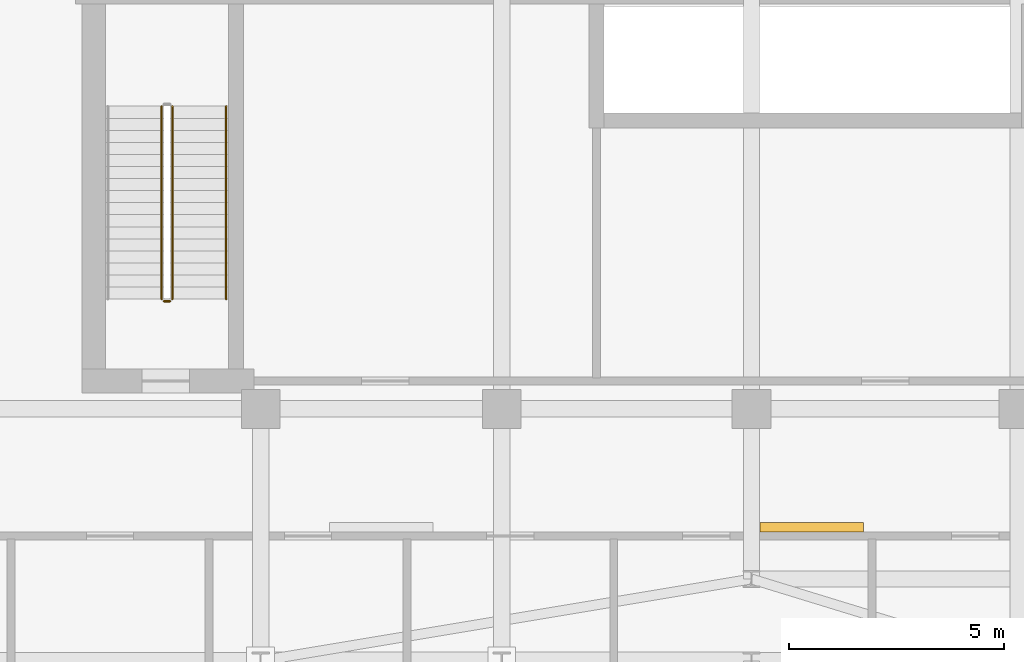
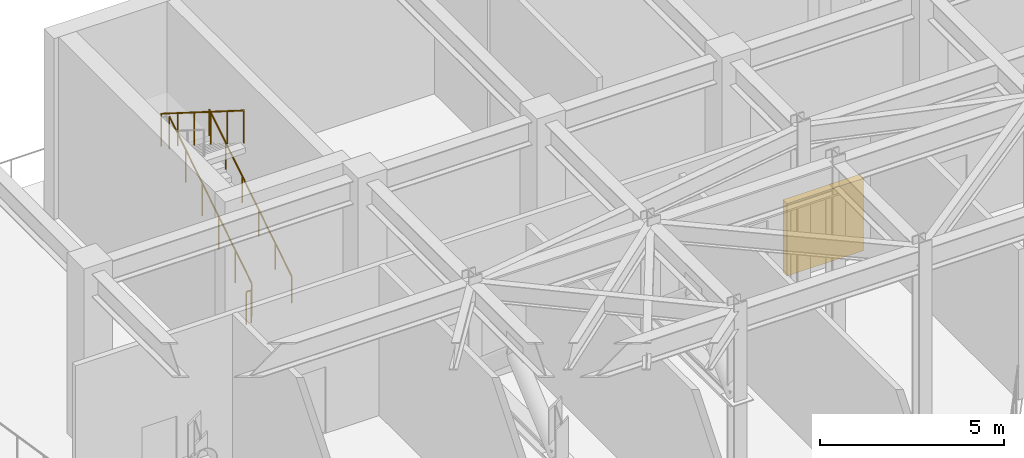
# One storey, part 7 of 12: 4 railings, 1 shading device.
"""IFC4 building model written with IfcOpenShell, lengths in metres."""

from ifc_helpers import new_model, si_unit, direction, frame, origin, origin_2d, place, context, subcontext, project, spatial, rectangle, circle, extrude, material, layer, layer_set, type_object, element, save


model = new_model("IFC4")

# Units and contexts
model_context = context("Model", 3, precision=1e-05, world=origin(), true_north=direction((0.0, 1.0)))
body_context = subcontext(model_context, "Body", "Model", "MODEL_VIEW")
ifc_project = project(units=[si_unit("LENGTHUNIT", "METRE"), si_unit("AREAUNIT", "SQUARE_METRE"), si_unit("VOLUMEUNIT", "CUBIC_METRE"), si_unit("PLANEANGLEUNIT", "RADIAN"), si_unit("MASSUNIT", "GRAM", prefix="KILO")], contexts=[model_context])

# Site, building, storey
site_placement = place(None, origin())
site = spatial("IfcSite", under=ifc_project, at=site_placement, CompositionType="ELEMENT")
building_placement = place(site_placement, origin())
building = spatial("IfcBuilding", under=site, at=building_placement, Name="Kravanh Interchange Tower", CompositionType="ELEMENT")
storey_placement = place(building_placement, frame((0.0, 0.0, 225.0)))
storey = spatial("IfcBuildingStorey", under=building, at=storey_placement, Name="L54", CompositionType="ELEMENT", Elevation=225.0)

# Shading device
ifc_material_1 = material(Name="Extruded Bronze Aluminium Acoustic Blades", Category="aluminium")
ifc_layer_1 = layer(ifc_material_1, 0.219970703125)
ifc_layer_set_1 = layer_set([ifc_layer_1], Name="Acoustic Weatherproof Plant Louvre Bank")
shading_device_type = type_object("IfcShadingDeviceType", Name="Acoustic Weatherproof Plant Louvre Bank", PredefinedType="JALOUSIE", material=ifc_layer_set_1)
shading_device_placement = place(storey_placement, frame((40.0, 34.60009765625, 0.0), z_axis=(0.0, 0.0, 1.0), x_axis=(1.0, 0.0, 0.0)))
element("IfcShadingDevice", 1, at=shading_device_placement, inside=storey, type_object=shading_device_type, Name="L54 Plant Acoustic Intake Louvre 2", PredefinedType="JALOUSIE", context=body_context, shape_type="SweptSolid", body=[
    extrude(rectangle(XDim=2.39990234375, YDim=0.219970703125, at=origin_2d()), origin(), (0.0, 0.0, 1.0), 2.39990234375),
])

# Railings
ifc_material_2 = material(Name="Structural Steel S355", Category="steel")
ifc_layer_2 = layer(ifc_material_2, 0.050048828125)
ifc_layer_set_2 = layer_set([ifc_layer_2], Name="Stair Well Guardrail Structural Steel S355 1100mm")
railing_type_1 = type_object("IfcRailingType", Name="Stair Well Guardrail Structural Steel S355 1100mm", PredefinedType="GUARDRAIL", material=ifc_layer_set_2)
railing_1_placement = place(storey_placement, frame((25.14990234375, 39.89990234375, 0.176513671875)))
element("IfcRailing", 2, at=railing_1_placement, inside=storey, type_object=railing_type_1, Name="L54 ST3 stair guard 1", PredefinedType="GUARDRAIL", context=body_context, shape_type="SweptSolid", body=[
    extrude(circle(Radius=0.02392578125, at=origin_2d()), frame((0.0, 0.0, 1.076171875), z_axis=(0.0, 0.845997938375, 0.533186166611), x_axis=(-1.0, 0.0, 0.0)), (0.0, 0.0, 1.0), 5.29541015625),
    extrude(circle(Radius=0.02099609375, at=origin_2d()), origin(), (0.0, 0.0, 1.0), 1.052001953125),
    extrude(circle(Radius=0.02099609375, at=origin_2d()), frame((0.0, 0.89599609375, 0.564697265625)), (0.0, 0.0, 1.0), 1.052001953125),
    extrude(circle(Radius=0.02099609375, at=origin_2d()), frame((0.0, 1.7919921875, 1.12939453125)), (0.0, 0.0, 1.0), 1.052001953125),
    extrude(circle(Radius=0.02099609375, at=origin_2d()), frame((0.0, 2.68798828125, 1.694091796875)), (0.0, 0.0, 1.0), 1.052001953125),
    extrude(circle(Radius=0.02099609375, at=origin_2d()), frame((0.0, 3.583984375, 2.2587890625)), (0.0, 0.0, 1.0), 1.052001953125),
    extrude(circle(Radius=0.02099609375, at=origin_2d()), frame((0.0, 4.47998046875, 2.823486328125)), (0.0, 0.0, 1.0), 1.052001953125),
])
railing_2_placement = place(storey_placement, frame((24.89990234375, 44.3798828125, 3.176513671875)))
element("IfcRailing", 3, at=railing_2_placement, inside=storey, type_object=railing_type_1, Name="L54 ST3 stair guard 3", PredefinedType="GUARDRAIL", context=body_context, shape_type="SweptSolid", body=[
    extrude(circle(Radius=0.02392578125, at=origin_2d()), frame((0.0, 0.0, 1.076171875), z_axis=(0.0, -0.845997938375, 0.533186166611), x_axis=(1.0, 0.0, 0.0)), (0.0, 0.0, 1.0), 5.29541015625),
    extrude(circle(Radius=0.02099609375, at=origin_2d()), origin(), (0.0, 0.0, 1.0), 1.052001953125),
    extrude(circle(Radius=0.02099609375, at=origin_2d()), frame((0.0, -0.89599609375, 0.564697265625)), (0.0, 0.0, 1.0), 1.052001953125),
    extrude(circle(Radius=0.02099609375, at=origin_2d()), frame((0.0, -1.7919921875, 1.12939453125)), (0.0, 0.0, 1.0), 1.052001953125),
    extrude(circle(Radius=0.02099609375, at=origin_2d()), frame((0.0, -2.68798828125, 1.694091796875)), (0.0, 0.0, 1.0), 1.052001953125),
    extrude(circle(Radius=0.02099609375, at=origin_2d()), frame((0.0, -3.583984375, 2.2587890625)), (0.0, 0.0, 1.0), 1.052001953125),
    extrude(circle(Radius=0.02099609375, at=origin_2d()), frame((0.0, -4.47998046875, 2.823486328125)), (0.0, 0.0, 1.0), 1.052001953125),
])
railing_3_placement = place(storey_placement, frame((25.10009765625, 39.85009765625, 0.0)))
element("IfcRailing", 4, at=railing_3_placement, inside=storey, type_object=railing_type_1, Name="L54 ST3 stair guard 4", PredefinedType="GUARDRAIL", context=body_context, shape_type="SweptSolid", body=[
    extrude(circle(Radius=0.02392578125, at=origin_2d()), frame((0.0, 0.0, 1.076171875), z_axis=(-1.0, 0.0, 0.0), x_axis=(0.0, -1.0, 0.0)), (0.0, 0.0, 1.0), 0.150146484375),
    extrude(circle(Radius=0.02099609375, at=origin_2d()), origin(), (0.0, 0.0, 1.0), 1.052001953125),
    extrude(circle(Radius=0.02099609375, at=origin_2d()), frame((-0.150146484375, 0.0, 0.0)), (0.0, 0.0, 1.0), 1.052001953125),
])
ifc_material_3 = material(Name="Stainless Steel 304", Category="steel")
ifc_layer_3 = layer(ifc_material_3, 0.044921875)
ifc_layer_set_3 = layer_set([ifc_layer_3], Name="Tubular Stair Handrail Stainless 304 900mm")
railing_type_2 = type_object("IfcRailingType", Name="Tubular Stair Handrail Stainless 304 900mm", PredefinedType="HANDRAIL", material=ifc_layer_set_3)
railing_4_placement = place(storey_placement, frame((26.39990234375, 39.89990234375, 0.176513671875)))
element("IfcRailing", 5, at=railing_4_placement, inside=storey, type_object=railing_type_2, Name="L54 ST3 stair handrail 1", PredefinedType="HANDRAIL", context=body_context, shape_type="SweptSolid", body=[
    extrude(circle(Radius=0.02392578125, at=origin_2d()), frame((0.0, 0.0, 0.8759765625), z_axis=(0.0, 0.845997938375, 0.533186166611), x_axis=(-1.0, 0.0, 0.0)), (0.0, 0.0, 1.0), 5.29541015625),
    extrude(circle(Radius=0.02099609375, at=origin_2d()), origin(), (0.0, 0.0, 1.0), 0.851806640625),
    extrude(circle(Radius=0.02099609375, at=origin_2d()), frame((0.0, 0.89599609375, 0.564697265625)), (0.0, 0.0, 1.0), 0.851806640625),
    extrude(circle(Radius=0.02099609375, at=origin_2d()), frame((0.0, 1.7919921875, 1.12939453125)), (0.0, 0.0, 1.0), 0.851806640625),
    extrude(circle(Radius=0.02099609375, at=origin_2d()), frame((0.0, 2.68798828125, 1.694091796875)), (0.0, 0.0, 1.0), 0.851806640625),
    extrude(circle(Radius=0.02099609375, at=origin_2d()), frame((0.0, 3.583984375, 2.2587890625)), (0.0, 0.0, 1.0), 0.851806640625),
    extrude(circle(Radius=0.02099609375, at=origin_2d()), frame((0.0, 4.47998046875, 2.823486328125)), (0.0, 0.0, 1.0), 0.851806640625),
])

save(model, "model.ifc")
